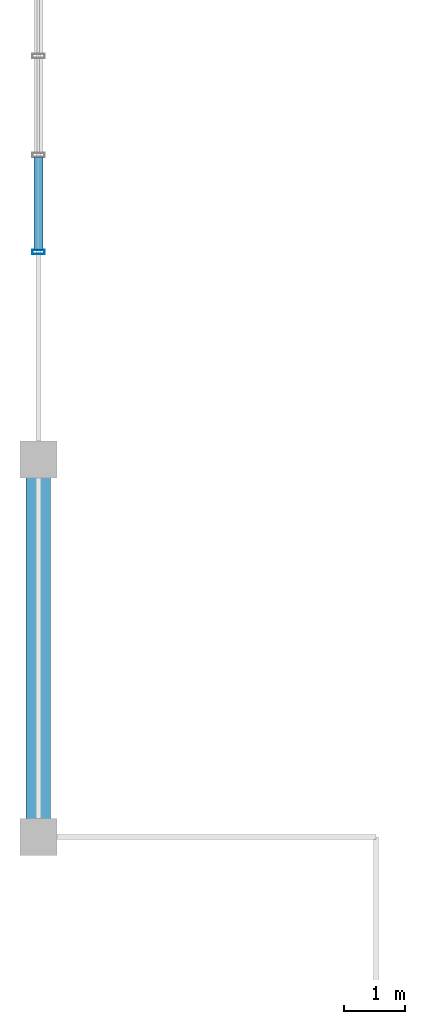
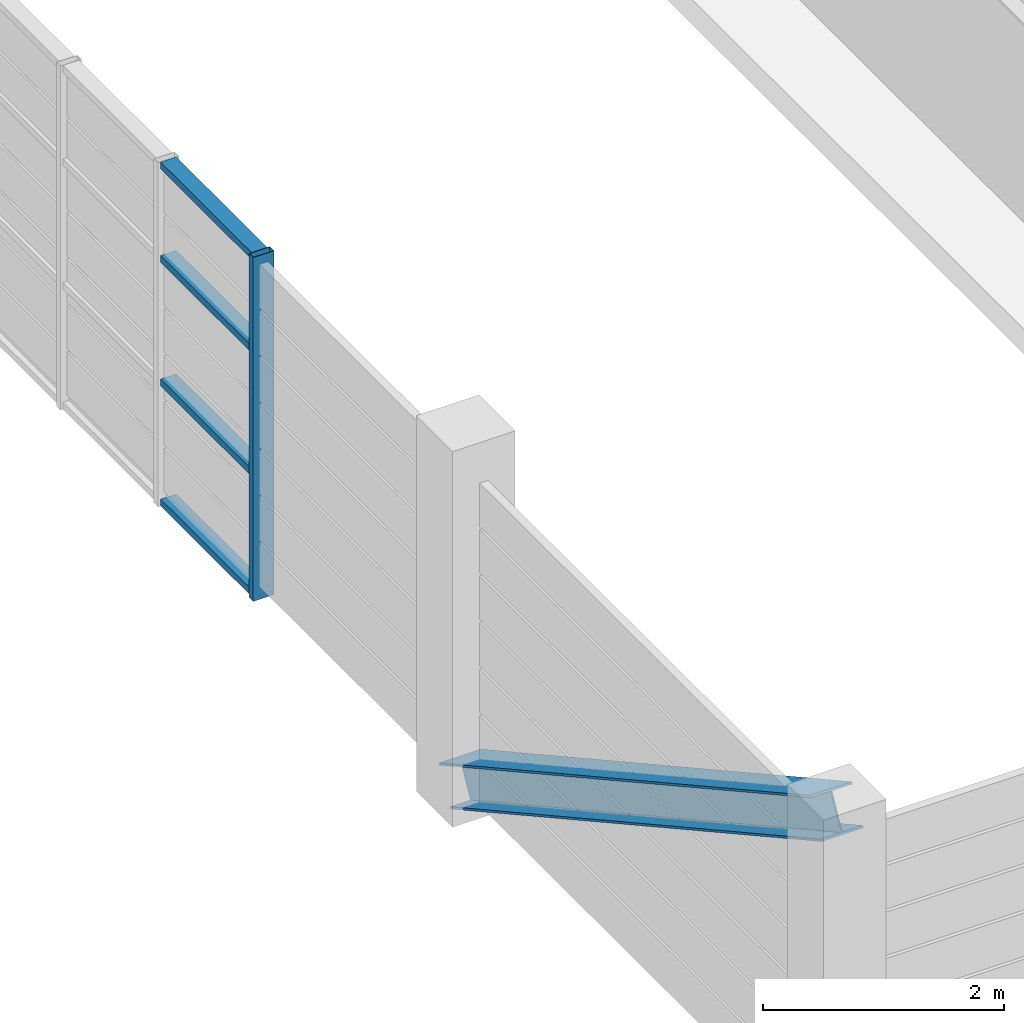
# One storey, part 3 of 21: 6 members, 1 element without a shape of its own.
"""IFC4 building model written with IfcOpenShell, lengths in metres."""

from ifc_helpers import new_model, si_unit, direction, frame, origin, origin_2d, place, context, subcontext, project, spatial, hollow_rectangle, i_section, extrude, source, transform, mapped, material, layer, layer_set, material_profile, profile_set, type_object, element, aggregate, save


model = new_model("IFC4")

# Units and contexts
model_context = context("Model", 3, precision=1e-05, world=origin(), true_north=direction((0.0, 1.0)))
body_context = subcontext(model_context, "Body", "Model", "MODEL_VIEW")
ifc_project = project(units=[si_unit("LENGTHUNIT", "METRE"), si_unit("AREAUNIT", "SQUARE_METRE"), si_unit("VOLUMEUNIT", "CUBIC_METRE"), si_unit("PLANEANGLEUNIT", "RADIAN"), si_unit("MASSUNIT", "GRAM", prefix="KILO")], contexts=[model_context])

# Site, building, storey
site_placement = place(None, origin())
site = spatial("IfcSite", under=ifc_project, at=site_placement, CompositionType="ELEMENT")
building_placement = place(site_placement, origin())
building = spatial("IfcBuilding", under=site, at=building_placement, Name="Saelheon Loggia Tower", CompositionType="ELEMENT")
storey_placement = place(building_placement, frame((0.0, 0.0, 259.800048828125)))
storey = spatial("IfcBuildingStorey", under=building, at=storey_placement, Name="CR3", CompositionType="ELEMENT", Elevation=259.800048828125)

# Member
ifc_material_1 = material(Name="Steel SM355", Category="steel")
ifc_material_profile_1 = material_profile(ifc_material_1, i_section(OverallWidth=0.39990234375, OverallDepth=0.39990234375, WebThickness=0.012939453125, FlangeThickness=0.02099609375, at=origin_2d()), Name="H-400x400x13x21")
ifc_profile_set_1 = profile_set([ifc_material_profile_1], Name="Steel SM355")
member_type_1 = type_object("IfcMemberType", Name="CrownFrame_Brace_H400", PredefinedType="BRACE", material=ifc_profile_set_1)
shared_shape_1 = source(origin(), body_context, "Body", "SweptSolid", [
    extrude(i_section(OverallWidth=0.39990234375, OverallDepth=0.39990234375, WebThickness=0.012939453125, FlangeThickness=0.02099609375, at=origin_2d()), origin(), (0.0, 0.0, 1.0), 7.027099609375),
])
member_1_placement = place(storey_placement, frame((23.35009765625, 18.0, 0.199951171875), z_axis=(0.0, -0.875164888097, 0.48382478093), x_axis=(1.0, 0.0, 0.0)))
element("IfcMember", 1, at=member_1_placement, inside=storey, type_object=member_type_1, Name="CR3 CROWN FRAME Wind Brace 08", PredefinedType="BRACE", context=body_context, shape_type="MappedRepresentation", body=[
    mapped(shared_shape_1, transform((0.0, 0.0, 0.0), scale=1.0)),
])

# Curtain wall, members
ifc_material_2 = material(Name="Bronze-Anodised Aluminium and Fritted Ceramic Screen", Category="aluminium")
ifc_layer = layer(ifc_material_2, 0.219970703125)
ifc_layer_set = layer_set([ifc_layer], Name="Bronze-Anodised Aluminium and Fritted Ceramic Screen")
curtain_wall_type = type_object("IfcCurtainWallType", Name="CW_CrownScreen", PredefinedType="NOTDEFINED", material=ifc_layer_set)
curtain_wall_placement = place(storey_placement, origin())
curtain_wall = element("IfcCurtainWall", 2, at=curtain_wall_placement, inside=storey, type_object=curtain_wall_type, Name="CR3 Crown Central Screen Curtain Wall 9", PredefinedType="NOTDEFINED")
ifc_material_3 = material(Name="Bronze-Anodised Aluminium 6063-T6", Category="aluminium")
ifc_material_profile_2 = material_profile(ifc_material_3, hollow_rectangle(XDim=0.070068359375, YDim=0.199951171875, WallThickness=0.0048828125, at=origin_2d()), Name="RHS-200x70x5")
ifc_profile_set_2 = profile_set([ifc_material_profile_2], Name="Bronze-Anodised Aluminium 6063-T6")
member_type_2 = type_object("IfcMemberType", Name="CW_CrownScreen_Mullion", PredefinedType="MULLION", material=ifc_profile_set_2)
shared_shape_2 = source(origin(), body_context, "Body", "SweptSolid", [
    extrude(hollow_rectangle(XDim=0.070068359375, YDim=0.199951171875, WallThickness=0.0048828125, at=origin_2d()), origin(), (0.0, 0.0, 1.0), 3.47998046875),
])
member_2_placement = place(storey_placement, frame((23.35009765625, 21.385009765625, 0.0), z_axis=(0.0, 0.0, 1.0), x_axis=(0.0, 1.0, 0.0)))
member_2 = element("IfcMember", 3, at=member_2_placement, type_object=member_type_2, Name="CW6 mullion 1", PredefinedType="MULLION", context=body_context, shape_type="MappedRepresentation", body=[
    mapped(shared_shape_2, transform((0.0, 0.0, 0.0), scale=1.0)),
])
ifc_material_profile_3 = material_profile(ifc_material_3, hollow_rectangle(XDim=0.070068359375, YDim=0.14990234375, WallThickness=0.0048828125, at=origin_2d()), Name="RHS-150x70x5")
ifc_profile_set_3 = profile_set([ifc_material_profile_3], Name="Bronze-Anodised Aluminium 6063-T6")
member_type_3 = type_object("IfcMemberType", Name="CW_CrownScreen_Transom", PredefinedType="USERDEFINED", material=ifc_profile_set_3)
shared_shape_3 = source(origin(), body_context, "Body", "SweptSolid", [
    extrude(hollow_rectangle(XDim=0.070068359375, YDim=0.14990234375, WallThickness=0.0048828125, at=origin_2d()), origin(), (0.0, 0.0, 1.0), 1.50927734375),
])
member_3_placement = place(storey_placement, frame((23.35009765625, 21.419921875, 0.034912109375), z_axis=(0.0, 1.0, 0.0), x_axis=(0.0, 0.0, 1.0)))
member_3 = element("IfcMember", 4, at=member_3_placement, type_object=member_type_3, Name="CW6 transom 1.1", ObjectType="TRANSOM", PredefinedType="USERDEFINED", context=body_context, shape_type="MappedRepresentation", body=[
    mapped(shared_shape_3, transform((0.0, 0.0, 0.0), scale=1.0)),
])
member_4_placement = place(storey_placement, frame((23.35009765625, 21.419921875, 1.25), z_axis=(0.0, 1.0, 0.0), x_axis=(0.0, 0.0, 1.0)))
member_4 = element("IfcMember", 5, at=member_4_placement, type_object=member_type_3, Name="CW6 transom 1.2", ObjectType="TRANSOM", PredefinedType="USERDEFINED", context=body_context, shape_type="MappedRepresentation", body=[
    mapped(shared_shape_3, transform((0.0, 0.0, 0.0), scale=1.0)),
])
member_5_placement = place(storey_placement, frame((23.35009765625, 21.419921875, 2.5), z_axis=(0.0, 1.0, 0.0), x_axis=(0.0, 0.0, 1.0)))
member_5 = element("IfcMember", 6, at=member_5_placement, type_object=member_type_3, Name="CW6 transom 1.3", ObjectType="TRANSOM", PredefinedType="USERDEFINED", context=body_context, shape_type="MappedRepresentation", body=[
    mapped(shared_shape_3, transform((0.0, 0.0, 0.0), scale=1.0)),
])
member_6_placement = place(storey_placement, frame((23.35009765625, 21.419921875, 3.445068359375), z_axis=(0.0, 1.0, 0.0), x_axis=(0.0, 0.0, 1.0)))
member_6 = element("IfcMember", 7, at=member_6_placement, type_object=member_type_3, Name="CW6 transom 1.4", ObjectType="TRANSOM", PredefinedType="USERDEFINED", context=body_context, shape_type="MappedRepresentation", body=[
    mapped(shared_shape_3, transform((0.0, 0.0, 0.0), scale=1.0)),
])
aggregate(curtain_wall, [member_2, member_3, member_4, member_5, member_6])

save(model, "model.ifc")
